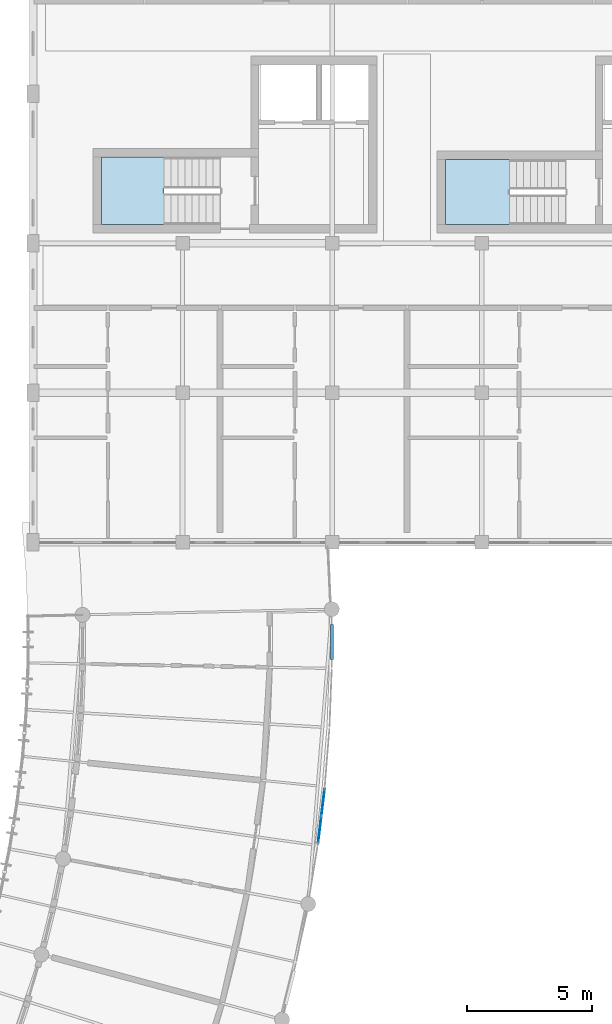
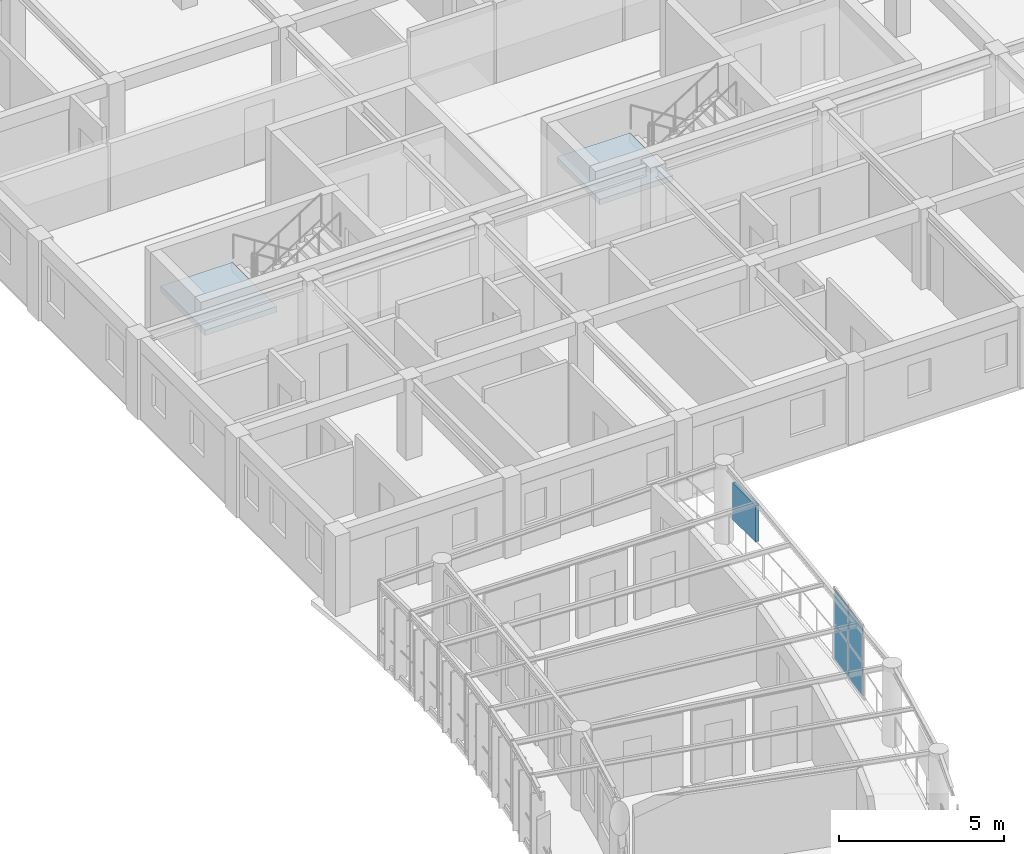
# One storey, part 48 of 101: 5 plates, 2 slabs, 3 elements without a shape of their own.
"""IFC4 building model written with IfcOpenShell, lengths in metres."""

from ifc_helpers import new_model, si_unit, direction, frame, origin, origin_2d, place, context, subcontext, project, spatial, polyline, rectangle, outline, extrude, material, layer, layer_set, type_object, element, aggregate, save


model = new_model("IFC4")

# Units and contexts
model_context = context("Model", 3, precision=1e-05, world=origin(), true_north=direction((0.0, 1.0)))
body_context = subcontext(model_context, "Body", "Model", "MODEL_VIEW")
ifc_project = project(units=[si_unit("LENGTHUNIT", "METRE"), si_unit("AREAUNIT", "SQUARE_METRE"), si_unit("VOLUMEUNIT", "CUBIC_METRE"), si_unit("PLANEANGLEUNIT", "RADIAN"), si_unit("MASSUNIT", "GRAM", prefix="KILO"), si_unit("POWERUNIT", "WATT"), si_unit("THERMODYNAMICTEMPERATUREUNIT", "KELVIN")], contexts=[model_context])

# Site, building, storey
site_placement = place(None, origin())
site = spatial("IfcSite", under=ifc_project, at=site_placement, CompositionType="ELEMENT")
building_placement = place(site_placement, origin())
building = spatial("IfcBuilding", under=site, at=building_placement, Name="Ruvembo Vaulted Housing Court", CompositionType="ELEMENT")
storey_placement = place(building_placement, frame((0.0, 0.0, 17.300048828125)))
storey = spatial("IfcBuildingStorey", under=building, at=storey_placement, Name="L05", CompositionType="ELEMENT", Elevation=17.300048828125)

# Curtain wall, plates
ifc_material_1 = material(Name="Anodised Aluminium and Solar-Control Glass", Category="aluminium")
ifc_layer_1 = layer(ifc_material_1, 0.1201171875, Name="Anodised Aluminium and Solar-Control Glass")
ifc_layer_set_1 = layer_set([ifc_layer_1], Name="Anodised Aluminium and Solar-Control Glass")
curtain_wall_type = type_object("IfcCurtainWallType", Name="CW-SCOOP-GAL", PredefinedType="NOTDEFINED", material=ifc_layer_set_1)
curtain_wall_placement = place(storey_placement, origin())
curtain_wall = element("IfcCurtainWall", 1, at=curtain_wall_placement, inside=storey, type_object=curtain_wall_type, Name="L05 Curtain Wall CW-L05-0028", PredefinedType="NOTDEFINED")
ifc_material_2 = material(Name="Solar-Control Laminated Insulating Glass", Category="glass")
ifc_layer_2 = layer(ifc_material_2, 0.031982421875, Name="Solar-Control Laminated Insulating Glass")
ifc_layer_set_2 = layer_set([ifc_layer_2], Name="Solar-Control Laminated Insulating Glass")
plate_type_1 = type_object("IfcPlateType", Name="CW-PANEL-SOLAR", PredefinedType="CURTAIN_PANEL", material=ifc_layer_set_2)
plate_1_placement = place(storey_placement, frame((59.49951171875, 66.47021484375, 0.06494140625), z_axis=(0.0, 0.0, 1.0), x_axis=(0.12040089337, 0.992725352187, 0.0)))
plate_1 = element("IfcPlate", 2, at=plate_1_placement, type_object=plate_type_1, Name="CW6 panel 1.1", PredefinedType="CURTAIN_PANEL", context=body_context, shape_type="SweptSolid", body=[
    extrude(rectangle(XDim=1.04833984375, YDim=0.031982421875, at=origin_2d()), origin(), (0.0, 0.0, 1.0), 1.24755859375),
])
plate_2_placement = place(storey_placement, frame((59.49951171875, 66.47021484375, 1.37744140625), z_axis=(0.0, 0.0, 1.0), x_axis=(0.12040089337, 0.992725352187, 0.0)))
plate_2 = element("IfcPlate", 3, at=plate_2_placement, type_object=plate_type_1, Name="CW6 panel 1.2", PredefinedType="CURTAIN_PANEL", context=body_context, shape_type="SweptSolid", body=[
    extrude(rectangle(XDim=1.04833984375, YDim=0.031982421875, at=origin_2d()), origin(), (0.0, 0.0, 1.0), 1.24755859375),
])
plate_3_placement = place(storey_placement, frame((59.633056640625, 67.570556640625, 0.06494140625), z_axis=(0.0, 0.0, 1.0), x_axis=(0.12040089337, 0.992725352187, 0.0)))
plate_3 = element("IfcPlate", 4, at=plate_3_placement, type_object=plate_type_1, Name="CW6 panel 2.1", PredefinedType="CURTAIN_PANEL", context=body_context, shape_type="SweptSolid", body=[
    extrude(rectangle(XDim=1.04833984375, YDim=0.031982421875, at=origin_2d()), origin(), (0.0, 0.0, 1.0), 1.24755859375),
])
plate_4_placement = place(storey_placement, frame((59.633056640625, 67.570556640625, 1.37744140625), z_axis=(0.0, 0.0, 1.0), x_axis=(0.12040089337, 0.992725352187, 0.0)))
plate_4 = element("IfcPlate", 5, at=plate_4_placement, type_object=plate_type_1, Name="CW6 panel 2.2", PredefinedType="CURTAIN_PANEL", context=body_context, shape_type="SweptSolid", body=[
    extrude(rectangle(XDim=1.04833984375, YDim=0.031982421875, at=origin_2d()), origin(), (0.0, 0.0, 1.0), 1.24755859375),
])
aggregate(curtain_wall, [plate_1, plate_2, plate_3, plate_4])

# Plate
ifc_material_3 = material(Name="Perforated Glazed Ceramic Cobogo Block", Category="ceramic")
ifc_layer_3 = layer(ifc_material_3, 0.1201171875, Name="Perforated Glazed Ceramic Cobogo Block")
ifc_layer_set_3 = layer_set([ifc_layer_3], Name="Perforated Glazed Ceramic Cobogo Block")
plate_type_2 = type_object("IfcPlateType", Name="PL-COBOGO-120", PredefinedType="USERDEFINED", material=ifc_layer_set_3)
plate_5_placement = place(storey_placement, frame((59.988037109375, 74.007080078125, 1.1201171875), z_axis=(0.0, 0.0, 1.0), x_axis=(-0.002268926081, 0.999997425984, 0.0)))
element("IfcPlate", 6, at=plate_5_placement, inside=storey, type_object=plate_type_2, Name="Scoop SC1 L05 Ceramic Cobogo Screen #30", ObjectType="COBOGO_PANEL", PredefinedType="USERDEFINED", context=body_context, shape_type="SweptSolid", body=[
    extrude(rectangle(XDim=1.39990234375, YDim=0.1201171875, at=origin_2d()), origin(), (0.0, 0.0, 1.0), 1.360107421875),
])

# Stair, slab
ifc_material_4 = material(Name="Concrete C35/45", Category="concrete")
stair_type_1 = type_object("IfcStairType", Name="STR-CORE-1250", PredefinedType="HALF_TURN_STAIR", material=ifc_material_4)
stair_1_placement = place(storey_placement, origin())
stair_1 = element("IfcStair", 7, at=stair_1_placement, inside=storey, type_object=stair_type_1, Name="L05 Protected Exit Stair ST-B1", PredefinedType="HALF_TURN_STAIR")
ifc_material_5 = material(Name="Concrete C30/37", Category="concrete")
ifc_layer_4 = layer(ifc_material_5, 0.201904296875, Name="Concrete C30/37")
ifc_layer_set_4 = layer_set([ifc_layer_4], Name="Concrete C30/37")
slab_type = type_object("IfcSlabType", Name="SL-LAND-202", PredefinedType="LANDING", material=ifc_layer_set_4)
slab_1_placement = place(storey_placement, frame((0.0, 0.0, 1.39990234375)))
slab_1 = element("IfcSlab", 8, at=slab_1_placement, type_object=slab_type, Name="ST-B1 landing 1", PredefinedType="LANDING", context=body_context, shape_type="SweptSolid", body=[
    extrude(outline(polyline([(53.260009765625, 93.449951171875), (50.75, 93.449951171875), (50.75, 90.75), (53.260009765625, 90.75), (53.260009765625, 93.449951171875)])), origin(), (0.0, 0.0, 1.0), 0.199951171875),
])
aggregate(stair_1, [slab_1])

stair_type_2 = type_object("IfcStairType", Name="STR-CORE-1200", PredefinedType="HALF_TURN_STAIR", material=ifc_material_4)
stair_2_placement = place(storey_placement, origin())
stair_2 = element("IfcStair", 9, at=stair_2_placement, inside=storey, type_object=stair_type_2, Name="L05 Protected Exit Stair ST-B2", PredefinedType="HALF_TURN_STAIR")
slab_2_placement = place(storey_placement, frame((0.0, 0.0, 1.39990234375)))
slab_2 = element("IfcSlab", 10, at=slab_2_placement, type_object=slab_type, Name="ST-B2 landing 1", PredefinedType="LANDING", context=body_context, shape_type="SweptSolid", body=[
    extrude(outline(polyline([(67.110107421875, 93.35009765625), (64.550048828125, 93.35009765625), (64.550048828125, 90.75), (67.110107421875, 90.75), (67.110107421875, 93.35009765625)])), origin(), (0.0, 0.0, 1.0), 0.199951171875),
])
aggregate(stair_2, [slab_2])

save(model, "model.ifc")
